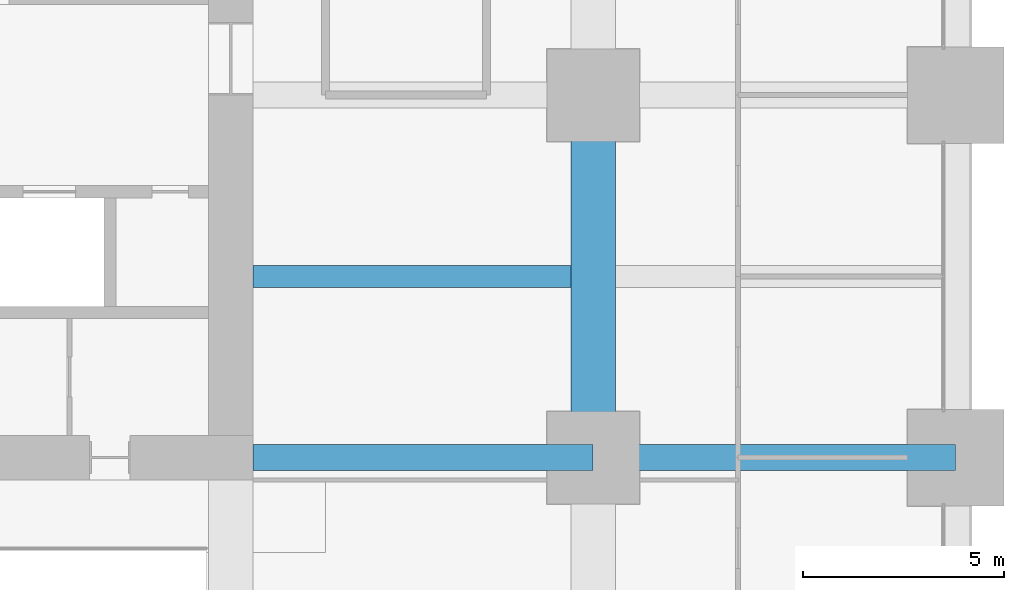
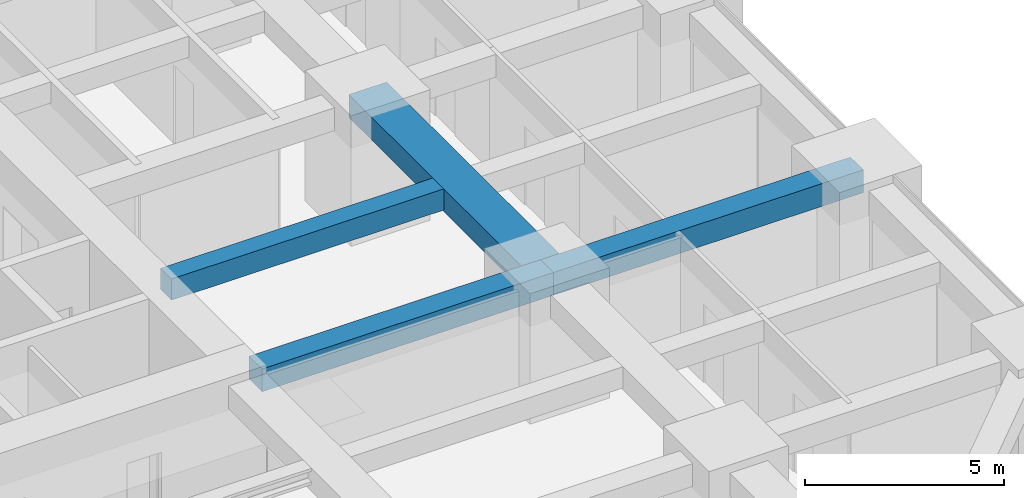
# One storey, part 19 of 45: 4 beams.
"""IFC4 building model written with IfcOpenShell, lengths in metres."""

from ifc_helpers import new_model, si_unit, direction, frame, origin, origin_2d, place, context, subcontext, project, spatial, rectangle, extrude, material, material_profile, profile_set, type_object, element, save


model = new_model("IFC4")

# Units and contexts
model_context = context("Model", 3, precision=1e-05, world=origin(), true_north=direction((0.0, 1.0)))
body_context = subcontext(model_context, "Body", "Model", "MODEL_VIEW")
ifc_project = project(units=[si_unit("LENGTHUNIT", "METRE"), si_unit("AREAUNIT", "SQUARE_METRE"), si_unit("VOLUMEUNIT", "CUBIC_METRE"), si_unit("PLANEANGLEUNIT", "RADIAN"), si_unit("MASSUNIT", "GRAM", prefix="KILO")], contexts=[model_context])

# Site, building, storey
site_placement = place(None, origin())
site = spatial("IfcSite", under=ifc_project, at=site_placement, CompositionType="ELEMENT")
building_placement = place(site_placement, origin())
building = spatial("IfcBuilding", under=site, at=building_placement, Name="Zorevar Civic Tower", CompositionType="ELEMENT")
storey_placement = place(building_placement, frame((0.0, 0.0, 27.800048828125)))
storey = spatial("IfcBuildingStorey", under=building, at=storey_placement, Name="L06", CompositionType="ELEMENT", Elevation=27.800048828125)

# Beams
ifc_material_1 = material(Name="Concrete C50/60", Category="concrete")
ifc_material_profile_1 = material_profile(ifc_material_1, rectangle(XDim=1.10009765625, YDim=0.699951171875, at=origin_2d()), Name="RC 1100x700")
ifc_profile_set_1 = profile_set([ifc_material_profile_1], Name="Concrete C50/60")
beam_type_1 = type_object("IfcBeamType", Name="Beam RC 1100x700", PredefinedType="BEAM", material=ifc_profile_set_1)
beam_1_placement = place(storey_placement, frame((54.0, 18.0, 3.39990234375), z_axis=(0.0, 1.0, 0.0), x_axis=(-1.0, 0.0, 0.0)))
element("IfcBeam", 1, at=beam_1_placement, inside=storey, type_object=beam_type_1, Name="Girder L07", PredefinedType="BEAM", context=body_context, shape_type="SweptSolid", body=[
    extrude(rectangle(XDim=1.10009765625, YDim=0.699951171875, at=origin_2d()), origin(), (0.0, 0.0, 1.0), 9.0),
])
ifc_material_2 = material(Name="Concrete C50/60", Category="concrete")
ifc_material_profile_2 = material_profile(ifc_material_2, rectangle(XDim=0.550048828125, YDim=0.64990234375, at=origin_2d()), Name="RC 550x650")
ifc_profile_set_2 = profile_set([ifc_material_profile_2], Name="Concrete C50/60")
beam_type_2 = type_object("IfcBeamType", Name="Beam RC 550x650", PredefinedType="BEAM", material=ifc_profile_set_2)
beam_2_placement = place(storey_placement, frame((45.550048828125, 22.5, 3.425048828125), z_axis=(1.0, 0.0, 0.0), x_axis=(0.0, 1.0, 0.0)))
element("IfcBeam", 2, at=beam_2_placement, inside=storey, type_object=beam_type_2, Name="Secondary beam L07", PredefinedType="BEAM", context=body_context, shape_type="SweptSolid", body=[
    extrude(rectangle(XDim=0.550048828125, YDim=0.64990234375, at=origin_2d()), origin(), (0.0, 0.0, 1.0), 7.89990234375),
])
ifc_material_3 = material(Name="Concrete C50/60", Category="concrete")
ifc_material_profile_3 = material_profile(ifc_material_3, rectangle(XDim=0.64990234375, YDim=0.699951171875, at=origin_2d()), Name="RC 650x700")
ifc_profile_set_3 = profile_set([ifc_material_profile_3], Name="Concrete C50/60")
beam_type_3 = type_object("IfcBeamType", Name="Beam RC 650x700", PredefinedType="BEAM", material=ifc_profile_set_3)
beam_3_placement = place(storey_placement, frame((45.550048828125, 18.0, 3.39990234375), z_axis=(1.0, 0.0, 0.0), x_axis=(0.0, 1.0, 0.0)))
element("IfcBeam", 3, at=beam_3_placement, inside=storey, type_object=beam_type_3, Name="Girder L07", PredefinedType="BEAM", context=body_context, shape_type="SweptSolid", body=[
    extrude(rectangle(XDim=0.64990234375, YDim=0.699951171875, at=origin_2d()), origin(), (0.0, 0.0, 1.0), 8.449951171875),
])
beam_4_placement = place(storey_placement, frame((54.0, 18.0, 3.39990234375), z_axis=(1.0, 0.0, 0.0), x_axis=(0.0, 1.0, 0.0)))
element("IfcBeam", 4, at=beam_4_placement, inside=storey, type_object=beam_type_3, Name="Girder L07", PredefinedType="BEAM", context=body_context, shape_type="SweptSolid", body=[
    extrude(rectangle(XDim=0.64990234375, YDim=0.699951171875, at=origin_2d()), origin(), (0.0, 0.0, 1.0), 9.0),
])

save(model, "model.ifc")
